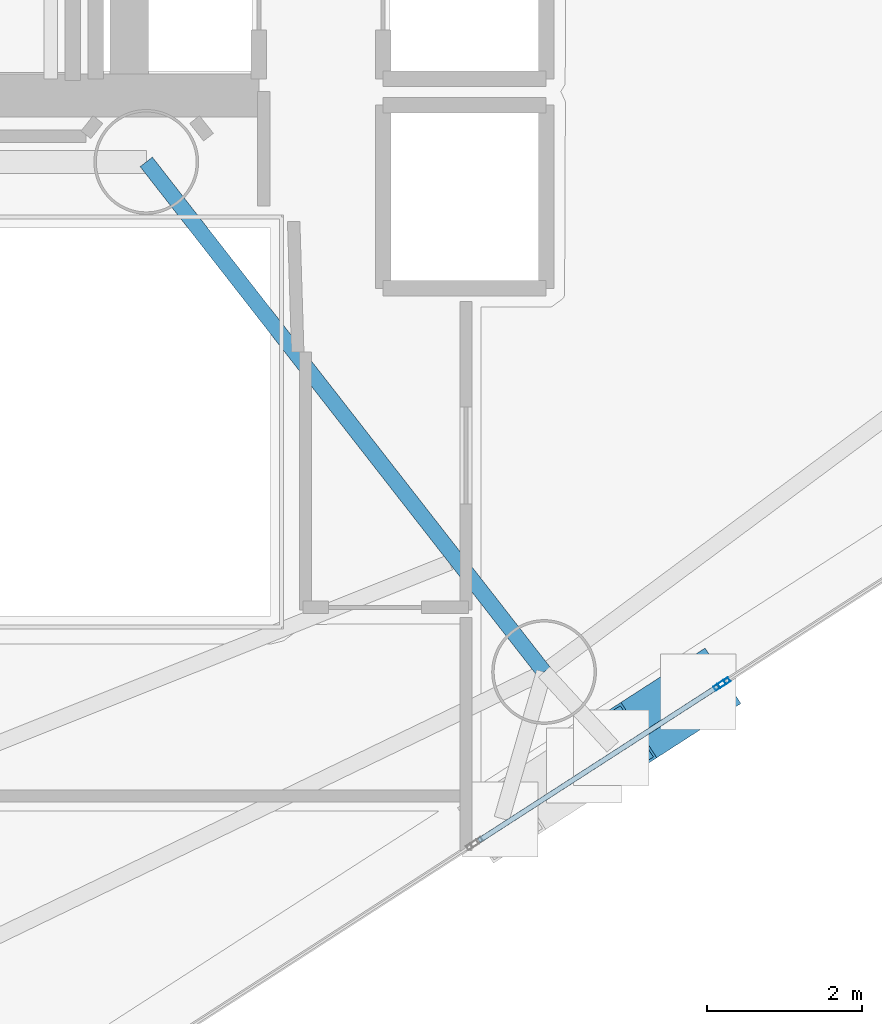
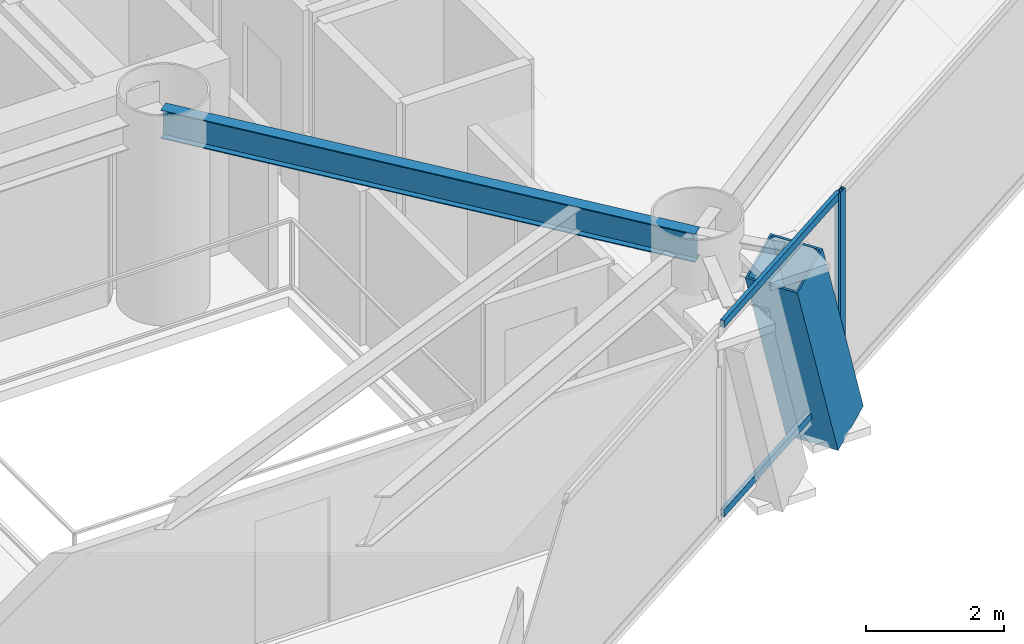
# One storey, part 6 of 22: 5 members, 1 beam, 2 elements without a shape of their own.
"""IFC4 building model written with IfcOpenShell, lengths in metres."""

from ifc_helpers import new_model, si_unit, direction, frame, origin, origin_2d, place, context, subcontext, project, spatial, hollow_rectangle, i_section, extrude, material, layer, layer_set, material_profile, profile_set, type_object, element, aggregate, save


model = new_model("IFC4")

# Units and contexts
model_context = context("Model", 3, precision=1e-05, world=origin(), true_north=direction((0.0, 1.0)))
body_context = subcontext(model_context, "Body", "Model", "MODEL_VIEW")
ifc_project = project(units=[si_unit("LENGTHUNIT", "METRE"), si_unit("AREAUNIT", "SQUARE_METRE"), si_unit("VOLUMEUNIT", "CUBIC_METRE"), si_unit("PLANEANGLEUNIT", "RADIAN"), si_unit("MASSUNIT", "GRAM", prefix="KILO")], contexts=[model_context])

# Site, building, storey
site_placement = place(None, origin())
site = spatial("IfcSite", under=ifc_project, at=site_placement, CompositionType="ELEMENT")
building_placement = place(site_placement, origin())
building = spatial("IfcBuilding", under=site, at=building_placement, Name="Qianvela Tower", CompositionType="ELEMENT")
storey_placement = place(building_placement, frame((0.0, 0.0, 180.89990234375)))
storey = spatial("IfcBuildingStorey", under=building, at=storey_placement, Name="L46", CompositionType="ELEMENT", Elevation=180.89990234375)

# Beam
ifc_material_1 = material(Name="Steel Q355B", Category="steel")
ifc_material_profile_1 = material_profile(ifc_material_1, i_section(OverallWidth=0.199951171875, OverallDepth=0.5, WebThickness=0.010009765625, FlangeThickness=0.01611328125, at=origin_2d()), Name="HN500x200x10x16")
ifc_profile_set_1 = profile_set([ifc_material_profile_1], Name="Steel Q355B")
beam_type = type_object("IfcBeamType", Name="BM-HN500-GIRD", PredefinedType="BEAM", material=ifc_profile_set_1)
beam_placement = place(storey_placement, frame((38.39990234375, 23.85009765625, 3.148193359375), z_axis=(0.615000832816, -0.788526458424, 0.0), x_axis=(0.788526458424, 0.615000832816, 0.0)))
element("IfcBeam", 1, at=beam_placement, inside=storey, type_object=beam_type, Name="L46 Radial Primary Floor Girder 6", PredefinedType="BEAM", context=body_context, shape_type="SweptSolid", body=[
    extrude(i_section(OverallWidth=0.199951171875, OverallDepth=0.5, WebThickness=0.010009765625, FlangeThickness=0.01611328125, at=origin_2d()), origin(), (0.0, 0.0, 1.0), 8.333251953125),
])

# Curtain wall, members
ifc_material_2 = material(Name="Anodised Architectural Aluminium and Insulated Spandrel Panel", Category="aluminium")
ifc_layer_1 = layer(ifc_material_2, 0.179931640625)
ifc_layer_set_1 = layer_set([ifc_layer_1], Name="Anodised Architectural Aluminium and Insulated Spandrel Panel")
curtain_wall_type_1 = type_object("IfcCurtainWallType", Name="CW-BRACEBAY", PredefinedType="USERDEFINED", material=ifc_layer_set_1)
curtain_wall_1_placement = place(storey_placement, origin())
curtain_wall_1 = element("IfcCurtainWall", 2, at=curtain_wall_1_placement, inside=storey, type_object=curtain_wall_type_1, Name="L46 CW-BRACEBAY Curtain Wall 06B", ObjectType="CURTAIN_WALL_SYSTEM", PredefinedType="USERDEFINED")
ifc_material_3 = material(Name="Anodised Architectural Aluminium 6063-T6", Category="aluminium")
ifc_material_profile_2 = material_profile(ifc_material_3, hollow_rectangle(XDim=0.06494140625, YDim=0.159912109375, WallThickness=0.0048828125, at=origin_2d()), Name="ALU-MULL-65x160")
ifc_profile_set_2 = profile_set([ifc_material_profile_2], Name="Anodised Architectural Aluminium 6063-T6")
member_type_1 = type_object("IfcMemberType", Name="CW-BRACEBAY-MULL", PredefinedType="MULLION", material=ifc_profile_set_2)
member_1_placement = place(storey_placement, frame((45.787109375, 17.107177734375, 0.0), z_axis=(0.0, 0.0, 1.0), x_axis=(-0.542217014715, 0.840238483381, 0.0)))
member_1 = element("IfcMember", 3, at=member_1_placement, type_object=member_type_1, Name="CW-9 mullion 2", PredefinedType="MULLION", context=body_context, shape_type="SweptSolid", body=[
    extrude(hollow_rectangle(XDim=0.06494140625, YDim=0.159912109375, WallThickness=0.0048828125, at=origin_2d()), origin(), (0.0, 0.0, 1.0), 3.400146484375),
])
ifc_material_4 = material(Name="Anodised Architectural Aluminium 6063-T6", Category="aluminium")
ifc_material_profile_3 = material_profile(ifc_material_4, hollow_rectangle(XDim=0.06494140625, YDim=0.1298828125, WallThickness=0.00439453125, at=origin_2d()), Name="ALU-TRAN-65x130")
ifc_profile_set_3 = profile_set([ifc_material_profile_3], Name="Anodised Architectural Aluminium 6063-T6")
member_type_2 = type_object("IfcMemberType", Name="CW-BRACEBAY-TRAN", PredefinedType="USERDEFINED", material=ifc_profile_set_3)
member_2_placement = place(storey_placement, frame((42.6845703125, 15.10498046875, 0.03271484375), z_axis=(0.840249591902, 0.542199800173, 0.0), x_axis=(-0.542199800173, 0.840249591902, 0.0)))
member_2 = element("IfcMember", 4, at=member_2_placement, type_object=member_type_2, Name="CW-9 transom 1.1", ObjectType="TRANSOM", PredefinedType="USERDEFINED", context=body_context, shape_type="SweptSolid", body=[
    extrude(hollow_rectangle(XDim=0.06494140625, YDim=0.1298828125, WallThickness=0.00439453125, at=origin_2d()), origin(), (0.0, 0.0, 1.0), 3.659912109375),
])
member_3_placement = place(storey_placement, frame((42.6845703125, 15.10498046875, 3.36767578125), z_axis=(0.840249591902, 0.542199800173, 0.0), x_axis=(-0.542199800173, 0.840249591902, 0.0)))
member_3 = element("IfcMember", 5, at=member_3_placement, type_object=member_type_2, Name="CW-9 transom 1.2", ObjectType="TRANSOM", PredefinedType="USERDEFINED", context=body_context, shape_type="SweptSolid", body=[
    extrude(hollow_rectangle(XDim=0.06494140625, YDim=0.1298828125, WallThickness=0.00439453125, at=origin_2d()), origin(), (0.0, 0.0, 1.0), 3.659912109375),
])
aggregate(curtain_wall_1, [member_1, member_2, member_3])

# Curtain wall, member
ifc_material_5 = material(Name="Anodised Architectural Aluminium and Low-E Glass", Category="aluminium")
ifc_layer_2 = layer(ifc_material_5, 0.169921875)
ifc_layer_set_2 = layer_set([ifc_layer_2], Name="Anodised Architectural Aluminium and Low-E Glass")
curtain_wall_type_2 = type_object("IfcCurtainWallType", Name="CW-COLIV-Z34", PredefinedType="USERDEFINED", material=ifc_layer_set_2)
curtain_wall_2_placement = place(storey_placement, origin())
curtain_wall_2 = element("IfcCurtainWall", 6, at=curtain_wall_2_placement, inside=storey, type_object=curtain_wall_type_2, Name="L46 CW-COLIV-Z34 Curtain Wall 06C", ObjectType="CURTAIN_WALL_SYSTEM", PredefinedType="USERDEFINED")
ifc_material_6 = material(Name="Anodised Architectural Aluminium 6063-T6", Category="aluminium")
ifc_material_profile_4 = material_profile(ifc_material_6, hollow_rectangle(XDim=0.06494140625, YDim=0.159912109375, WallThickness=0.0048828125, at=origin_2d()), Name="ALU-MULL-65x160")
ifc_profile_set_4 = profile_set([ifc_material_profile_4], Name="Anodised Architectural Aluminium 6063-T6")
member_type_3 = type_object("IfcMemberType", Name="CW-COLIV-Z34-MULL", PredefinedType="MULLION", material=ifc_profile_set_4)
member_4_placement = place(storey_placement, frame((45.841796875, 17.142333984375, 0.0), z_axis=(0.0, 0.0, 1.0), x_axis=(-0.542189956292, 0.840255943922, 0.0)))
member_4 = element("IfcMember", 7, at=member_4_placement, type_object=member_type_3, Name="CW-4 mullion 1", PredefinedType="MULLION", context=body_context, shape_type="SweptSolid", body=[
    extrude(hollow_rectangle(XDim=0.06494140625, YDim=0.159912109375, WallThickness=0.0048828125, at=origin_2d()), origin(), (0.0, 0.0, 1.0), 3.400146484375),
])
aggregate(curtain_wall_2, [member_4])

# Member
ifc_material_7 = material(Name="Steel Q420GJC", Category="steel")
ifc_material_profile_5 = material_profile(ifc_material_7, hollow_rectangle(XDim=0.85009765625, YDim=0.85009765625, WallThickness=0.031982421875, at=origin_2d()), Name="MBOX-850x850x32")
ifc_profile_set_5 = profile_set([ifc_material_profile_5], Name="Steel Q420GJC")
member_type_4 = type_object("IfcMemberType", Name="MBR-MBRACE-850", PredefinedType="BRACE", material=ifc_profile_set_5)
member_5_placement = place(storey_placement, frame((45.49365234375, 17.012939453125, -0.48193359375), z_axis=(-0.284793720873, -0.18381031996, 0.94080088373), x_axis=(0.542277753971, -0.840199284425, 0.0)))
element("IfcMember", 8, at=member_5_placement, inside=storey, type_object=member_type_4, Name="L46 Tier 7 Exterior Mega-Brace F3B", PredefinedType="BRACE", context=body_context, shape_type="SweptSolid", body=[
    extrude(hollow_rectangle(XDim=0.85009765625, YDim=0.85009765625, WallThickness=0.031982421875, at=origin_2d()), origin(), (0.0, 0.0, 1.0), 3.805419921875),
])

save(model, "model.ifc")
